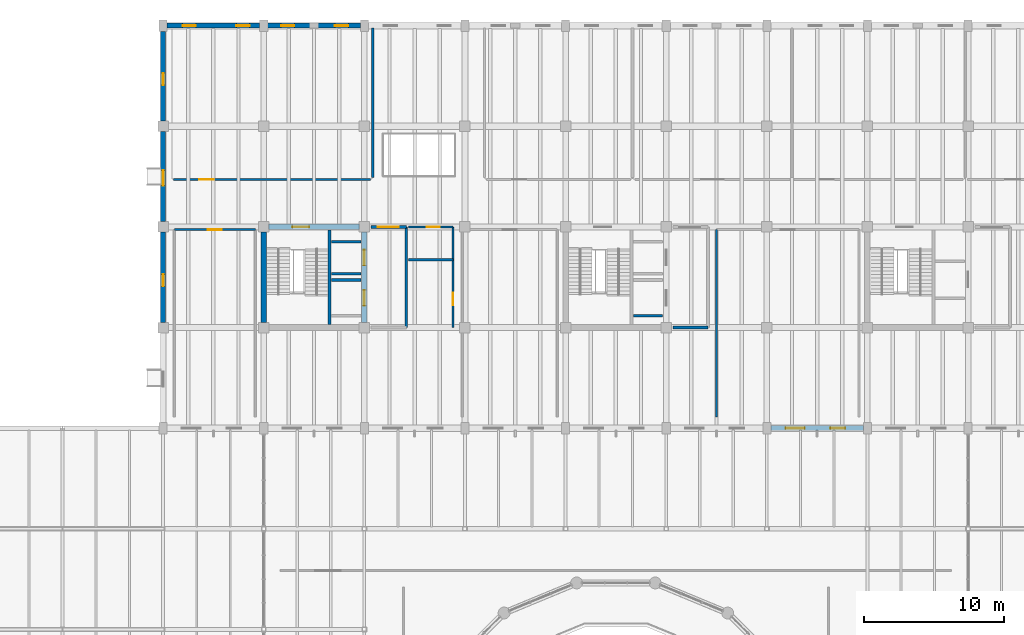
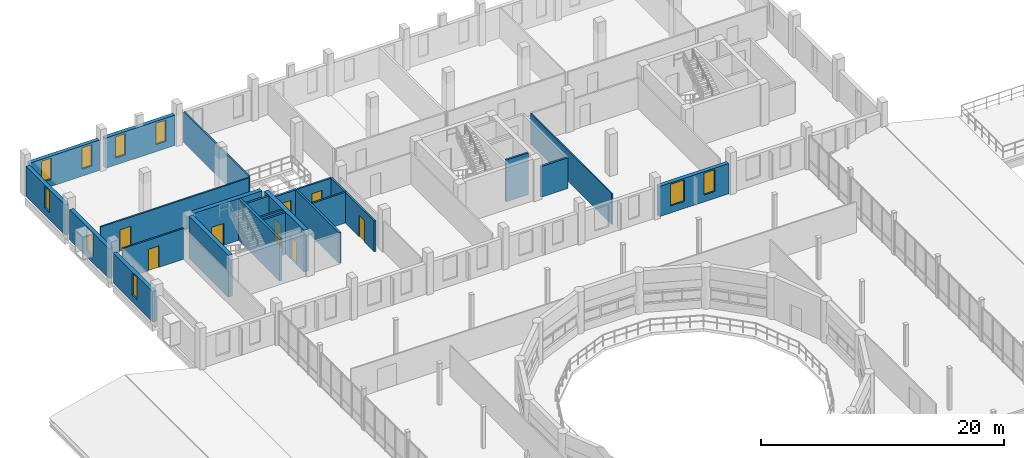
# One storey, part 52 of 63: 24 walls, 9 windows, 8 doors, 17 openings.
"""IFC4 building model written with IfcOpenShell, lengths in metres."""

from ifc_helpers import new_model, si_unit, direction, frame, frame_2d, origin, place, context, subcontext, project, spatial, rectangle, extrude, material, layer, layer_set, type_object, element, fill, save


model = new_model("IFC4")

# Units and contexts
model_context = context("Model", 3, precision=1e-05, world=origin(), true_north=direction((0.0, 1.0)))
body_context = subcontext(model_context, "Body", "Model", "MODEL_VIEW")
ifc_project = project(units=[si_unit("LENGTHUNIT", "METRE"), si_unit("AREAUNIT", "SQUARE_METRE"), si_unit("VOLUMEUNIT", "CUBIC_METRE"), si_unit("PLANEANGLEUNIT", "RADIAN"), si_unit("MASSUNIT", "GRAM", prefix="KILO")], contexts=[model_context])

# Site, building, storey
site_placement = place(None, origin())
site = spatial("IfcSite", under=ifc_project, at=site_placement, CompositionType="ELEMENT")
building_placement = place(site_placement, origin())
building = spatial("IfcBuilding", under=site, at=building_placement, Name="Qiaolan Assembly House", CompositionType="ELEMENT")
storey_placement = place(building_placement, frame((0.0, 0.0, 14.39990234375)))
storey = spatial("IfcBuildingStorey", under=building, at=storey_placement, Name="L03", CompositionType="ELEMENT", Elevation=14.39990234375)

# Wall, openings, doors
ifc_material_1 = material(Name="Concrete C45/55", Category="concrete")
ifc_layer_1 = layer(ifc_material_1, 0.39990234375)
ifc_layer_set_1 = layer_set([ifc_layer_1], Name="Concrete C45/55")
wall_type_1 = type_object("IfcWallType", Name="WAL-CORE-400", PredefinedType="SHEAR", material=ifc_layer_set_1)
wall_1_placement = place(storey_placement, frame((50.39990234375, 93.949951171875, 0.0), z_axis=(0.0, 0.0, 1.0), x_axis=(0.0, 1.0, 0.0)))
wall_1 = element("IfcWall", 1, at=wall_1_placement, inside=storey, type_object=wall_type_1, Name="CW-400 shear core wall CORE-A E L03", PredefinedType="SHEAR", context=body_context, shape_type="SweptSolid", body=[
    extrude(rectangle(XDim=6.5, YDim=0.39990234375, at=frame_2d((3.25, 0.0))), origin(), (0.0, 0.0, 1.0), 4.2001953125),
])
opening_1_placement = place(wall_1_placement, frame((1.22509765625, 0.0, 0.0)))
opening_1 = element("IfcOpeningElement", 2, at=opening_1_placement, cuts=wall_1, Name="Opening LD-005", PredefinedType="OPENING", context=body_context, shape_type="SweptSolid", body=[
    extrude(rectangle(XDim=1.10009765625, YDim=2.199951171875, at=frame_2d((0.550048828125, 1.10009765625))), frame((0.0, 0.2099609375, 0.0), z_axis=(0.0, -1.0, 0.0), x_axis=(1.0, 0.0, 0.0)), (0.0, 0.0, 1.0), 0.419921875),
])
opening_2_placement = place(wall_1_placement, frame((4.10009765625, 0.0, 0.0)))
opening_2 = element("IfcOpeningElement", 3, at=opening_2_placement, cuts=wall_1, Name="Opening LD-014", PredefinedType="OPENING", context=body_context, shape_type="SweptSolid", body=[
    extrude(rectangle(XDim=1.10009765625, YDim=2.199951171875, at=frame_2d((0.550048828125, 1.10009765625))), frame((0.0, 0.2099609375, 0.0), z_axis=(0.0, -1.0, 0.0), x_axis=(1.0, 0.0, 0.0)), (0.0, 0.0, 1.0), 0.419921875),
])
ifc_material_2 = material(Name="Anodised bronze aluminium", Category="aluminium")
door_type_1 = type_object("IfcDoorType", Name="DOR-LIFT-LD1100", OperationType="SLIDING_TO_LEFT", PredefinedType="DOOR", material=ifc_material_2)
door_1_placement = place(opening_1_placement, origin())
door_1 = element("IfcDoor", 4, at=door_1_placement, inside=storey, type_object=door_type_1, Name="Lift landing door LD-005 (LF-01 L03)", OperationType="SLIDING_TO_LEFT", OverallHeight=2.199951171875, OverallWidth=1.10009765625, PredefinedType="DOOR", context=body_context, shape_type="SweptSolid", body=[
    extrude(rectangle(XDim=1.10009765625, YDim=2.199951171875, at=frame_2d((0.550048828125, 1.10009765625))), frame((0.0, 0.02490234375, 0.0), z_axis=(0.0, -1.0, 0.0), x_axis=(1.0, 0.0, 0.0)), (0.0, 0.0, 1.0), 0.050048828125),
])
fill(opening_1, door_1)
door_2_placement = place(opening_2_placement, origin())
door_2 = element("IfcDoor", 5, at=door_2_placement, inside=storey, type_object=door_type_1, Name="Lift landing door LD-014 (LF-02 L03)", OperationType="SLIDING_TO_LEFT", OverallHeight=2.199951171875, OverallWidth=1.10009765625, PredefinedType="DOOR", context=body_context, shape_type="SweptSolid", body=[
    extrude(rectangle(XDim=1.10009765625, YDim=2.199951171875, at=frame_2d((0.550048828125, 1.10009765625))), frame((0.0, 0.02490234375, 0.0), z_axis=(0.0, -1.0, 0.0), x_axis=(1.0, 0.0, 0.0)), (0.0, 0.0, 1.0), 0.050048828125),
])
fill(opening_2, door_2)

# Wall, opening, door
wall_2_placement = place(storey_placement, frame((50.050048828125, 100.800048828125, 0.0), z_axis=(0.0, 0.0, 1.0), x_axis=(-1.0, 0.0, 0.0)))
wall_2 = element("IfcWall", 6, at=wall_2_placement, inside=storey, type_object=wall_type_1, Name="CW-400 shear core wall CORE-A N L03", PredefinedType="SHEAR", context=body_context, shape_type="SweptSolid", body=[
    extrude(rectangle(XDim=6.5, YDim=0.39990234375, at=frame_2d((3.25, 0.0))), origin(), (0.0, 0.0, 1.0), 4.2001953125),
])
opening_3_placement = place(wall_2_placement, frame((3.60009765625, 0.0, 0.0)))
opening_3 = element("IfcOpeningElement", 7, at=opening_3_placement, cuts=wall_2, Name="Opening FD-015", PredefinedType="OPENING", context=body_context, shape_type="SweptSolid", body=[
    extrude(rectangle(XDim=1.199951171875, YDim=2.199951171875, at=frame_2d((0.60009765625, 1.10009765625))), frame((0.0, 0.2099609375, 0.0), z_axis=(0.0, -1.0, 0.0), x_axis=(1.0, 0.0, 0.0)), (0.0, 0.0, 1.0), 0.419921875),
])
ifc_material_3 = material(Name="Steel Q355B", Category="steel")
door_type_2 = type_object("IfcDoorType", Name="DOR-FIRE-FD90-1200", OperationType="NOTDEFINED", PredefinedType="DOOR", material=ifc_material_3)
door_3_placement = place(opening_3_placement, frame((1.199951171875, 0.0, 0.0), z_axis=(0.0, 0.0, 1.0), x_axis=(-1.0, 0.0, 0.0)))
door_3 = element("IfcDoor", 8, at=door_3_placement, inside=storey, type_object=door_type_2, Name="Stairwell fire door FD-015 (CORE-A L03)", OperationType="SINGLE_SWING_RIGHT", OverallHeight=2.199951171875, OverallWidth=1.199951171875, PredefinedType="DOOR", context=body_context, shape_type="SweptSolid", body=[
    extrude(rectangle(XDim=1.199951171875, YDim=2.199951171875, at=frame_2d((0.60009765625, 1.10009765625))), frame((0.0, 0.02490234375, 0.0), z_axis=(0.0, -1.0, 0.0), x_axis=(1.0, 0.0, 0.0)), (0.0, 0.0, 1.0), 0.050048828125),
])
fill(opening_3, door_3)

# Wall
wall_3_placement = place(storey_placement, frame((43.199951171875, 100.449951171875, 0.0), z_axis=(0.0, 0.0, 1.0), x_axis=(0.0, -1.0, 0.0)))
element("IfcWall", 9, at=wall_3_placement, inside=storey, type_object=wall_type_1, Name="CW-400 shear core wall CORE-A W L03", PredefinedType="SHEAR", context=body_context, shape_type="SweptSolid", body=[
    extrude(rectangle(XDim=6.5, YDim=0.39990234375, at=frame_2d((3.25, 0.0))), origin(), (0.0, 0.0, 1.0), 4.2001953125),
])

# Wall, openings, windows
ifc_material_4 = material(Name="Honed pale limestone", Category="masonry")
ifc_layer_2 = layer(ifc_material_4, 0.360107421875)
ifc_layer_set_2 = layer_set([ifc_layer_2], Name="Honed pale limestone")
wall_type_2 = type_object("IfcWallType", Name="WAL-EXT-LIMESTONE-360", PredefinedType="SOLIDWALL", material=ifc_layer_set_2)
wall_4_placement = place(storey_placement, frame((42.912109375, 115.199951171875, 0.0), z_axis=(0.0, 0.0, 1.0), x_axis=(-1.0, 0.0, 0.0)))
wall_4 = element("IfcWall", 10, at=wall_4_placement, inside=storey, type_object=wall_type_2, Name="EW-360 NW North street wall L03 bay 1", PredefinedType="SOLIDWALL", context=body_context, shape_type="SweptSolid", body=[
    extrude(rectangle(XDim=6.6240234375, YDim=0.360107421875, at=frame_2d((3.31201171875, 0.0))), origin(), (0.0, 0.0, 1.0), 3.0400390625),
])
opening_4_placement = place(wall_4_placement, frame((0.7119140625, 0.0, 0.699951171875)))
opening_4 = element("IfcOpeningElement", 11, at=opening_4_placement, cuts=wall_4, Name="Opening WN-068", PredefinedType="OPENING", context=body_context, shape_type="SweptSolid", body=[
    extrude(rectangle(XDim=0.949951171875, YDim=2.139892578125, at=frame_2d((0.47509765625, 1.06982421875))), frame((0.0, 0.18994140625, 0.0), z_axis=(0.0, -1.0, 0.0), x_axis=(1.0, 0.0, 0.0)), (0.0, 0.0, 1.0), 0.380126953125),
])
opening_5_placement = place(wall_4_placement, frame((4.56201171875, 0.0, 0.699951171875)))
opening_5 = element("IfcOpeningElement", 12, at=opening_5_placement, cuts=wall_4, Name="Opening WN-069", PredefinedType="OPENING", context=body_context, shape_type="SweptSolid", body=[
    extrude(rectangle(XDim=0.949951171875, YDim=2.139892578125, at=frame_2d((0.47509765625, 1.06982421875))), frame((0.0, 0.18994140625, 0.0), z_axis=(0.0, -1.0, 0.0), x_axis=(1.0, 0.0, 0.0)), (0.0, 0.0, 1.0), 0.380126953125),
])
ifc_material_5 = material(Name="Low-E double insulating glass", Category="glass")
window_type_1 = type_object("IfcWindowType", Name="WIN-PUNCH-950x2400", PartitioningType="SINGLE_PANEL", PredefinedType="WINDOW", material=ifc_material_5)
window_1_placement = place(opening_4_placement, origin())
window_1 = element("IfcWindow", 13, at=window_1_placement, inside=storey, type_object=window_type_1, Name="WN-T06 window WN-068", OverallHeight=2.139892578125, OverallWidth=0.949951171875, PartitioningType="SINGLE_PANEL", PredefinedType="WINDOW", context=body_context, shape_type="SweptSolid", body=[
    extrude(rectangle(XDim=0.949951171875, YDim=2.139892578125, at=frame_2d((0.47509765625, 1.06982421875))), frame((0.0, 0.030029296875, 0.0), z_axis=(0.0, -1.0, 0.0), x_axis=(1.0, 0.0, 0.0)), (0.0, 0.0, 1.0), 0.06005859375),
])
fill(opening_4, window_1)
window_2_placement = place(opening_5_placement, origin())
window_2 = element("IfcWindow", 14, at=window_2_placement, inside=storey, type_object=window_type_1, Name="WN-T06 window WN-069", OverallHeight=2.139892578125, OverallWidth=0.949951171875, PartitioningType="SINGLE_PANEL", PredefinedType="WINDOW", context=body_context, shape_type="SweptSolid", body=[
    extrude(rectangle(XDim=0.949951171875, YDim=2.139892578125, at=frame_2d((0.47509765625, 1.06982421875))), frame((0.0, 0.030029296875, 0.0), z_axis=(0.0, -1.0, 0.0), x_axis=(1.0, 0.0, 0.0)), (0.0, 0.0, 1.0), 0.06005859375),
])
fill(opening_5, window_2)

wall_5_placement = place(storey_placement, frame((50.112060546875, 115.199951171875, 0.0), z_axis=(0.0, 0.0, 1.0), x_axis=(-1.0, 0.0, 0.0)))
wall_5 = element("IfcWall", 15, at=wall_5_placement, inside=storey, type_object=wall_type_2, Name="EW-360 NW North street wall L03 bay 2", PredefinedType="SOLIDWALL", context=body_context, shape_type="SweptSolid", body=[
    extrude(rectangle(XDim=6.6240234375, YDim=0.360107421875, at=frame_2d((3.31201171875, 0.0))), origin(), (0.0, 0.0, 1.0), 3.0400390625),
])
opening_6_placement = place(wall_5_placement, frame((0.862060546875, 0.0, 0.699951171875)))
opening_6 = element("IfcOpeningElement", 16, at=opening_6_placement, cuts=wall_5, Name="Opening WN-070", PredefinedType="OPENING", context=body_context, shape_type="SweptSolid", body=[
    extrude(rectangle(XDim=0.949951171875, YDim=2.139892578125, at=frame_2d((0.47509765625, 1.06982421875))), frame((0.0, 0.18994140625, 0.0), z_axis=(0.0, -1.0, 0.0), x_axis=(1.0, 0.0, 0.0)), (0.0, 0.0, 1.0), 0.380126953125),
])
opening_7_placement = place(wall_5_placement, frame((4.7119140625, 0.0, 0.699951171875)))
opening_7 = element("IfcOpeningElement", 17, at=opening_7_placement, cuts=wall_5, Name="Opening WN-071", PredefinedType="OPENING", context=body_context, shape_type="SweptSolid", body=[
    extrude(rectangle(XDim=0.949951171875, YDim=2.139892578125, at=frame_2d((0.47509765625, 1.06982421875))), frame((0.0, 0.18994140625, 0.0), z_axis=(0.0, -1.0, 0.0), x_axis=(1.0, 0.0, 0.0)), (0.0, 0.0, 1.0), 0.380126953125),
])
window_3_placement = place(opening_6_placement, origin())
window_3 = element("IfcWindow", 18, at=window_3_placement, inside=storey, type_object=window_type_1, Name="WN-T06 window WN-070", OverallHeight=2.139892578125, OverallWidth=0.949951171875, PartitioningType="SINGLE_PANEL", PredefinedType="WINDOW", context=body_context, shape_type="SweptSolid", body=[
    extrude(rectangle(XDim=0.949951171875, YDim=2.139892578125, at=frame_2d((0.47509765625, 1.06982421875))), frame((0.0, 0.030029296875, 0.0), z_axis=(0.0, -1.0, 0.0), x_axis=(1.0, 0.0, 0.0)), (0.0, 0.0, 1.0), 0.06005859375),
])
fill(opening_6, window_3)
window_4_placement = place(opening_7_placement, origin())
window_4 = element("IfcWindow", 19, at=window_4_placement, inside=storey, type_object=window_type_1, Name="WN-T06 window WN-071", OverallHeight=2.139892578125, OverallWidth=0.949951171875, PartitioningType="SINGLE_PANEL", PredefinedType="WINDOW", context=body_context, shape_type="SweptSolid", body=[
    extrude(rectangle(XDim=0.949951171875, YDim=2.139892578125, at=frame_2d((0.47509765625, 1.06982421875))), frame((0.0, 0.030029296875, 0.0), z_axis=(0.0, -1.0, 0.0), x_axis=(1.0, 0.0, 0.0)), (0.0, 0.0, 1.0), 0.06005859375),
])
fill(opening_7, window_4)

wall_6_placement = place(storey_placement, frame((79.488037109375, 86.39990234375, 0.0), z_axis=(0.0, 0.0, 1.0), x_axis=(1.0, 0.0, 0.0)))
wall_6 = element("IfcWall", 20, at=wall_6_placement, inside=storey, type_object=wall_type_2, Name="EW-360 NW South court wall L03 bay 7", PredefinedType="SOLIDWALL", context=body_context, shape_type="SweptSolid", body=[
    extrude(rectangle(XDim=6.6240234375, YDim=0.360107421875, at=frame_2d((3.31201171875, 0.0))), origin(), (0.0, 0.0, 1.0), 3.0400390625),
])
opening_8_placement = place(wall_6_placement, frame((1.06201171875, 0.0, 0.699951171875)))
opening_8 = element("IfcOpeningElement", 21, at=opening_8_placement, cuts=wall_6, Name="Opening WN-098", PredefinedType="OPENING", context=body_context, shape_type="SweptSolid", body=[
    extrude(rectangle(XDim=1.35009765625, YDim=2.18994140625, at=frame_2d((0.675048828125, 1.094970703125))), frame((0.0, 0.18994140625, 0.0), z_axis=(0.0, -1.0, 0.0), x_axis=(1.0, 0.0, 0.0)), (0.0, 0.0, 1.0), 0.380126953125),
])
opening_9_placement = place(wall_6_placement, frame((4.261962890625, 0.0, 0.699951171875)))
opening_9 = element("IfcOpeningElement", 22, at=opening_9_placement, cuts=wall_6, Name="Opening WN-099", PredefinedType="OPENING", context=body_context, shape_type="SweptSolid", body=[
    extrude(rectangle(XDim=1.050048828125, YDim=2.18994140625, at=frame_2d((0.52490234375, 1.094970703125))), frame((0.0, 0.18994140625, 0.0), z_axis=(0.0, -1.0, 0.0), x_axis=(1.0, 0.0, 0.0)), (0.0, 0.0, 1.0), 0.380126953125),
])
window_type_2 = type_object("IfcWindowType", Name="WIN-COURT-1350x2400", PartitioningType="DOUBLE_PANEL_VERTICAL", PredefinedType="WINDOW", material=ifc_material_5)
window_5_placement = place(opening_8_placement, origin())
window_5 = element("IfcWindow", 23, at=window_5_placement, inside=storey, type_object=window_type_2, Name="WN-T04 court window WN-098", OverallHeight=2.18994140625, OverallWidth=1.35009765625, PartitioningType="DOUBLE_PANEL_VERTICAL", PredefinedType="WINDOW", context=body_context, shape_type="SweptSolid", body=[
    extrude(rectangle(XDim=1.35009765625, YDim=2.18994140625, at=frame_2d((0.675048828125, 1.094970703125))), frame((0.0, 0.030029296875, 0.0), z_axis=(0.0, -1.0, 0.0), x_axis=(1.0, 0.0, 0.0)), (0.0, 0.0, 1.0), 0.06005859375),
])
fill(opening_8, window_5)
window_type_3 = type_object("IfcWindowType", Name="WIN-PUNCH-1050x2400", PartitioningType="SINGLE_PANEL", PredefinedType="WINDOW", material=ifc_material_5)
window_6_placement = place(opening_9_placement, origin())
window_6 = element("IfcWindow", 24, at=window_6_placement, inside=storey, type_object=window_type_3, Name="WN-T05 court window WN-099", OverallHeight=2.18994140625, OverallWidth=1.050048828125, PartitioningType="SINGLE_PANEL", PredefinedType="WINDOW", context=body_context, shape_type="SweptSolid", body=[
    extrude(rectangle(XDim=1.050048828125, YDim=2.18994140625, at=frame_2d((0.52490234375, 1.094970703125))), frame((0.0, 0.030029296875, 0.0), z_axis=(0.0, -1.0, 0.0), x_axis=(1.0, 0.0, 0.0)), (0.0, 0.0, 1.0), 0.06005859375),
])
fill(opening_9, window_6)

# Wall, opening, window
wall_7_placement = place(storey_placement, frame((36.0, 93.972900390625, 0.0), z_axis=(0.0, 0.0, 1.0), x_axis=(0.0, 1.0, 0.0)))
wall_7 = element("IfcWall", 25, at=wall_7_placement, inside=storey, type_object=wall_type_2, Name="NW West avenue wall L03-2", PredefinedType="SOLIDWALL", context=body_context, shape_type="SweptSolid", body=[
    extrude(rectangle(XDim=6.4541015625, YDim=0.360107421875, at=frame_2d((3.22705078125, 0.0))), origin(), (0.0, 0.0, 1.0), 3.0400390625),
])
opening_10_placement = place(wall_7_placement, frame((2.576904296875, 0.0, 0.699951171875)))
opening_10 = element("IfcOpeningElement", 26, at=opening_10_placement, cuts=wall_7, Name="Opening WN-106", PredefinedType="OPENING", context=body_context, shape_type="SweptSolid", body=[
    extrude(rectangle(XDim=0.85009765625, YDim=2.18994140625, at=frame_2d((0.425048828125, 1.094970703125))), frame((0.0, 0.18994140625, 0.0), z_axis=(0.0, -1.0, 0.0), x_axis=(1.0, 0.0, 0.0)), (0.0, 0.0, 1.0), 0.380126953125),
])
window_type_4 = type_object("IfcWindowType", Name="WIN-END-850x2200", PartitioningType="SINGLE_PANEL", PredefinedType="WINDOW", material=ifc_material_5)
window_7_placement = place(opening_10_placement, origin())
window_7 = element("IfcWindow", 27, at=window_7_placement, inside=storey, type_object=window_type_4, Name="NW West window WN-106", OverallHeight=2.18994140625, OverallWidth=0.85009765625, PartitioningType="SINGLE_PANEL", PredefinedType="WINDOW", context=body_context, shape_type="SweptSolid", body=[
    extrude(rectangle(XDim=0.85009765625, YDim=2.18994140625, at=frame_2d((0.425048828125, 1.094970703125))), frame((0.0, 0.030029296875, 0.0), z_axis=(0.0, -1.0, 0.0), x_axis=(1.0, 0.0, 0.0)), (0.0, 0.0, 1.0), 0.06005859375),
])
fill(opening_10, window_7)

wall_8_placement = place(storey_placement, frame((36.0, 101.173095703125, 0.0), z_axis=(0.0, 0.0, 1.0), x_axis=(0.0, 1.0, 0.0)))
wall_8 = element("IfcWall", 28, at=wall_8_placement, inside=storey, type_object=wall_type_2, Name="NW West avenue wall L03-3", PredefinedType="SOLIDWALL", context=body_context, shape_type="SweptSolid", body=[
    extrude(rectangle(XDim=6.453857421875, YDim=0.360107421875, at=frame_2d((3.22705078125, 0.0))), origin(), (0.0, 0.0, 1.0), 3.0400390625),
])
opening_11_placement = place(wall_8_placement, frame((2.576904296875, 0.0, 0.699951171875)))
opening_11 = element("IfcOpeningElement", 29, at=opening_11_placement, cuts=wall_8, Name="Opening WN-108", PredefinedType="OPENING", context=body_context, shape_type="SweptSolid", body=[
    extrude(rectangle(XDim=1.10009765625, YDim=2.18994140625, at=frame_2d((0.550048828125, 1.094970703125))), frame((0.0, 0.18994140625, 0.0), z_axis=(0.0, -1.0, 0.0), x_axis=(1.0, 0.0, 0.0)), (0.0, 0.0, 1.0), 0.380126953125),
])
window_type_5 = type_object("IfcWindowType", Name="WIN-BOX-1100x2350", PartitioningType="SINGLE_PANEL", PredefinedType="WINDOW", material=ifc_material_5)
window_8_placement = place(opening_11_placement, origin())
window_8 = element("IfcWindow", 30, at=window_8_placement, inside=storey, type_object=window_type_5, Name="NW West window WN-108", OverallHeight=2.18994140625, OverallWidth=1.10009765625, PartitioningType="SINGLE_PANEL", PredefinedType="WINDOW", context=body_context, shape_type="SweptSolid", body=[
    extrude(rectangle(XDim=1.10009765625, YDim=2.18994140625, at=frame_2d((0.550048828125, 1.094970703125))), frame((0.0, 0.030029296875, 0.0), z_axis=(0.0, -1.0, 0.0), x_axis=(1.0, 0.0, 0.0)), (0.0, 0.0, 1.0), 0.06005859375),
])
fill(opening_11, window_8)

wall_9_placement = place(storey_placement, frame((36.0, 108.373046875, 0.0), z_axis=(0.0, 0.0, 1.0), x_axis=(0.0, 1.0, 0.0)))
wall_9 = element("IfcWall", 31, at=wall_9_placement, inside=storey, type_object=wall_type_2, Name="NW West avenue wall L03-4", PredefinedType="SOLIDWALL", context=body_context, shape_type="SweptSolid", body=[
    extrude(rectangle(XDim=6.424072265625, YDim=0.360107421875, at=frame_2d((3.2119140625, 0.0))), origin(), (0.0, 0.0, 1.0), 3.0400390625),
])
opening_12_placement = place(wall_9_placement, frame((2.576904296875, 0.0, 0.699951171875)))
opening_12 = element("IfcOpeningElement", 32, at=opening_12_placement, cuts=wall_9, Name="Opening WN-110", PredefinedType="OPENING", context=body_context, shape_type="SweptSolid", body=[
    extrude(rectangle(XDim=0.85009765625, YDim=2.18994140625, at=frame_2d((0.425048828125, 1.094970703125))), frame((0.0, 0.18994140625, 0.0), z_axis=(0.0, -1.0, 0.0), x_axis=(1.0, 0.0, 0.0)), (0.0, 0.0, 1.0), 0.380126953125),
])
window_9_placement = place(opening_12_placement, origin())
window_9 = element("IfcWindow", 33, at=window_9_placement, inside=storey, type_object=window_type_4, Name="NW West window WN-110", OverallHeight=2.18994140625, OverallWidth=0.85009765625, PartitioningType="SINGLE_PANEL", PredefinedType="WINDOW", context=body_context, shape_type="SweptSolid", body=[
    extrude(rectangle(XDim=0.85009765625, YDim=2.18994140625, at=frame_2d((0.425048828125, 1.094970703125))), frame((0.0, 0.030029296875, 0.0), z_axis=(0.0, -1.0, 0.0), x_axis=(1.0, 0.0, 0.0)), (0.0, 0.0, 1.0), 0.06005859375),
])
fill(opening_12, window_9)

# Wall
ifc_material_6 = material(Name="Concrete C35/45", Category="concrete")
ifc_layer_3 = layer(ifc_material_6, 0.199951171875)
ifc_layer_set_3 = layer_set([ifc_layer_3], Name="Concrete C35/45")
wall_type_3 = type_object("IfcWallType", Name="WAL-LOBBY-200", PredefinedType="PARTITIONING", material=ifc_layer_set_3)
wall_10_placement = place(storey_placement, frame((53.39990234375, 93.60009765625, 0.0), z_axis=(0.0, 0.0, 1.0), x_axis=(0.0, 1.0, 0.0)))
element("IfcWall", 34, at=wall_10_placement, inside=storey, type_object=wall_type_3, Name="Firefighting lift lobby east wall CORE-A L03", PredefinedType="PARTITIONING", context=body_context, shape_type="SweptSolid", body=[
    extrude(rectangle(XDim=7.199951171875, YDim=0.199951171875, at=frame_2d((3.60009765625, 0.0))), origin(), (0.0, 0.0, 1.0), 3.080078125),
])

# Wall, opening, door
wall_11_placement = place(storey_placement, frame((53.39990234375, 100.800048828125, 0.0), z_axis=(0.0, 0.0, 1.0), x_axis=(-1.0, 0.0, 0.0)))
wall_11 = element("IfcWall", 35, at=wall_11_placement, inside=storey, type_object=wall_type_3, Name="Firefighting lift lobby north wall CORE-A L03", PredefinedType="PARTITIONING", context=body_context, shape_type="SweptSolid", body=[
    extrude(rectangle(XDim=2.52001953125, YDim=0.199951171875, at=frame_2d((1.260009765625, 0.0))), origin(), (0.0, 0.0, 1.0), 3.080078125),
])
opening_13_placement = place(wall_11_placement, frame((0.550048828125, 0.0, 0.0)))
opening_13 = element("IfcOpeningElement", 36, at=opening_13_placement, cuts=wall_11, Name="Opening FD-016", PredefinedType="OPENING", context=body_context, shape_type="SweptSolid", body=[
    extrude(rectangle(XDim=1.5, YDim=2.199951171875, at=frame_2d((0.75, 1.10009765625))), frame((0.0, 0.10986328125, 0.0), z_axis=(0.0, -1.0, 0.0), x_axis=(1.0, 0.0, 0.0)), (0.0, 0.0, 1.0), 0.219970703125),
])
ifc_material_7 = material(Name="Acoustic oak panelling")
door_type_3 = type_object("IfcDoorType", Name="DOR-LOBBY-FD60-1500", OperationType="DOUBLE_DOOR_SINGLE_SWING", PredefinedType="DOOR", material=ifc_material_7)
door_4_placement = place(opening_13_placement, frame((1.5, 0.0, 0.0), z_axis=(0.0, 0.0, 1.0), x_axis=(-1.0, 0.0, 0.0)))
door_4 = element("IfcDoor", 37, at=door_4_placement, inside=storey, type_object=door_type_3, Name="Lobby corridor fire door FD-016", OperationType="DOUBLE_DOOR_SINGLE_SWING", OverallHeight=2.199951171875, OverallWidth=1.5, PredefinedType="DOOR", context=body_context, shape_type="SweptSolid", body=[
    extrude(rectangle(XDim=1.5, YDim=2.199951171875, at=frame_2d((0.75, 1.10009765625))), frame((0.0, 0.02490234375, 0.0), z_axis=(0.0, -1.0, 0.0), x_axis=(1.0, 0.0, 0.0)), (0.0, 0.0, 1.0), 0.050048828125),
])
fill(opening_13, door_4)

# Walls
wall_12_placement = place(storey_placement, frame((72.47998046875, 93.60009765625, 0.0), z_axis=(0.0, 0.0, 1.0), x_axis=(1.0, 0.0, 0.0)))
element("IfcWall", 38, at=wall_12_placement, inside=storey, type_object=wall_type_3, Name="Firefighting lift lobby south wall CORE-B L03", PredefinedType="PARTITIONING", context=body_context, shape_type="SweptSolid", body=[
    extrude(rectangle(XDim=2.52001953125, YDim=0.199951171875, at=frame_2d((1.260009765625, 0.0))), origin(), (0.0, 0.0, 1.0), 3.080078125),
])
ifc_material_8 = material(Name="Gypsum plasterboard partition")
ifc_layer_4 = layer(ifc_material_8, 0.1201171875)
ifc_layer_set_4 = layer_set([ifc_layer_4], Name="Gypsum plasterboard partition")
wall_type_4 = type_object("IfcWallType", Name="WAL-PART-120", PredefinedType="PARTITIONING", material=ifc_layer_set_4)
wall_13_placement = place(storey_placement, frame((75.60009765625, 87.199951171875, 0.0), z_axis=(0.0, 0.0, 1.0), x_axis=(0.0, 1.0, 0.0)))
element("IfcWall", 39, at=wall_13_placement, inside=storey, type_object=wall_type_4, Name="Infrastructure Tender Review Room west wall", PredefinedType="PARTITIONING", context=body_context, shape_type="SweptSolid", body=[
    extrude(rectangle(XDim=13.400146484375, YDim=0.1201171875, at=frame_2d((6.7001953125, 0.0))), origin(), (0.0, 0.0, 1.0), 3.080078125),
])

# Wall, opening, door
ifc_layer_5 = layer(ifc_material_8, 0.14990234375)
ifc_layer_set_5 = layer_set([ifc_layer_5], Name="Gypsum plasterboard partition")
wall_type_5 = type_object("IfcWallType", Name="WAL-PART-150", PredefinedType="PARTITIONING", material=ifc_layer_set_5)
wall_14_placement = place(storey_placement, frame((36.75, 104.199951171875, 0.0), z_axis=(0.0, 0.0, 1.0), x_axis=(1.0, 0.0, 0.0)))
wall_14 = element("IfcWall", 40, at=wall_14_placement, inside=storey, type_object=wall_type_5, Name="Urban Design & Statutory Planning Department corridor wall", PredefinedType="PARTITIONING", context=body_context, shape_type="SweptSolid", body=[
    extrude(rectangle(XDim=14.10009765625, YDim=0.14990234375, at=frame_2d((7.050048828125, 0.0))), origin(), (0.0, 0.0, 1.0), 3.080078125),
])
opening_14_placement = place(wall_14_placement, frame((1.824951171875, 0.0, 0.0)))
opening_14 = element("IfcOpeningElement", 41, at=opening_14_placement, cuts=wall_14, Name="Opening ND-199", PredefinedType="OPENING", context=body_context, shape_type="SweptSolid", body=[
    extrude(rectangle(XDim=1.050048828125, YDim=2.14990234375, at=frame_2d((0.52490234375, 1.074951171875))), frame((0.0, 0.0849609375, 0.0), z_axis=(0.0, -1.0, 0.0), x_axis=(1.0, 0.0, 0.0)), (0.0, 0.0, 1.0), 0.169921875),
])
door_type_4 = type_object("IfcDoorType", Name="DOR-OFF-LRG-1050", OperationType="NOTDEFINED", PredefinedType="DOOR", material=ifc_material_7)
door_5_placement = place(opening_14_placement, origin())
door_5 = element("IfcDoor", 42, at=door_5_placement, inside=storey, type_object=door_type_4, Name="Urban Design & Statutory Planning Department door ND-199", OperationType="SINGLE_SWING_LEFT", OverallHeight=2.14990234375, OverallWidth=1.050048828125, PredefinedType="DOOR", context=body_context, shape_type="SweptSolid", body=[
    extrude(rectangle(XDim=1.050048828125, YDim=2.14990234375, at=frame_2d((0.52490234375, 1.074951171875))), frame((0.0, 0.02490234375, 0.0), z_axis=(0.0, -1.0, 0.0), x_axis=(1.0, 0.0, 0.0)), (0.0, 0.0, 1.0), 0.050048828125),
])
fill(opening_14, door_5)

# Wall
wall_15_placement = place(storey_placement, frame((51.0, 104.35009765625, 0.0), z_axis=(0.0, 0.0, 1.0), x_axis=(0.0, 1.0, 0.0)))
element("IfcWall", 43, at=wall_15_placement, inside=storey, type_object=wall_type_5, Name="Lightwell east wall", PredefinedType="PARTITIONING", context=body_context, shape_type="SweptSolid", body=[
    extrude(rectangle(XDim=10.669921875, YDim=0.14990234375, at=frame_2d((5.3349609375, 0.0))), origin(), (0.0, 0.0, 1.0), 3.080078125),
])

# Wall, opening, door
wall_16_placement = place(storey_placement, frame((42.60009765625, 100.60009765625, 0.0), z_axis=(0.0, 0.0, 1.0), x_axis=(-1.0, 0.0, 0.0)))
wall_16 = element("IfcWall", 44, at=wall_16_placement, inside=storey, type_object=wall_type_5, Name="Statutory Mapping & Cadastre Room corridor wall", PredefinedType="PARTITIONING", context=body_context, shape_type="SweptSolid", body=[
    extrude(rectangle(XDim=5.800048828125, YDim=0.14990234375, at=frame_2d((2.89990234375, 0.0))), origin(), (0.0, 0.0, 1.0), 3.080078125),
])
opening_15_placement = place(wall_16_placement, frame((2.39990234375, 0.0, 0.0)))
opening_15 = element("IfcOpeningElement", 45, at=opening_15_placement, cuts=wall_16, Name="Opening SD-204", PredefinedType="OPENING", context=body_context, shape_type="SweptSolid", body=[
    extrude(rectangle(XDim=1.0, YDim=2.14990234375, at=frame_2d((0.5, 1.074951171875))), frame((0.0, 0.0849609375, 0.0), z_axis=(0.0, -1.0, 0.0), x_axis=(1.0, 0.0, 0.0)), (0.0, 0.0, 1.0), 0.169921875),
])
door_type_5 = type_object("IfcDoorType", Name="DOR-OFF-SGL-1000", OperationType="NOTDEFINED", PredefinedType="DOOR", material=ifc_material_7)
door_6_placement = place(opening_15_placement, origin())
door_6 = element("IfcDoor", 46, at=door_6_placement, inside=storey, type_object=door_type_5, Name="Statutory Mapping & Cadastre Room door SD-204", OperationType="SINGLE_SWING_LEFT", OverallHeight=2.14990234375, OverallWidth=1.0, PredefinedType="DOOR", context=body_context, shape_type="SweptSolid", body=[
    extrude(rectangle(XDim=1.0, YDim=2.14990234375, at=frame_2d((0.5, 1.074951171875))), frame((0.0, 0.02490234375, 0.0), z_axis=(0.0, -1.0, 0.0), x_axis=(1.0, 0.0, 0.0)), (0.0, 0.0, 1.0), 0.050048828125),
])
fill(opening_15, door_6)

# Walls
ifc_layer_6 = layer(ifc_material_6, 0.18505859375)
ifc_layer_set_6 = layer_set([ifc_layer_6], Name="Concrete C35/45")
wall_type_6 = type_object("IfcWallType", Name="WAL-SHAFT-200", PredefinedType="PARTITIONING", material=ifc_layer_set_6)
for number, where, z_axis, x_axis, name in (
    (47, (48.050048828125, 97.0, 0.0), (0.0, 0.0, 1.0), (1.0, 0.0, 0.0), "SW-200 lift shaft wall LF-01 L03 DIVN"),
    (48, (48.050048828125, 97.449951171875, 0.0), (0.0, 0.0, 1.0), (1.0, 0.0, 0.0), "SW-200 lift shaft wall LF-02 L03 DIVS"),
    (49, (48.050048828125, 99.75, 0.0), (0.0, 0.0, 1.0), (1.0, 0.0, 0.0), "SW-200 lift shaft wall LF-02 L03 DIVN"),
):
    element("IfcWall", number, at=place(storey_placement, frame(where, z_axis=z_axis, x_axis=x_axis)), inside=storey, type_object=wall_type_6, Name=name, PredefinedType="PARTITIONING", context=body_context, shape_type="SweptSolid", body=[
        extrude(rectangle(XDim=2.099853515625, YDim=0.18505859375, at=frame_2d((1.0498046875, 0.0))), origin(), (0.0, 0.0, 1.0), 4.2001953125),
    ])
wall_17_placement = place(storey_placement, frame((69.64990234375, 94.449951171875, 0.0), z_axis=(0.0, 0.0, 1.0), x_axis=(1.0, 0.0, 0.0)))
element("IfcWall", 50, at=wall_17_placement, inside=storey, type_object=wall_type_6, Name="SW-200 lift shaft wall LF-03 L03 DIVS", PredefinedType="PARTITIONING", context=body_context, shape_type="SweptSolid", body=[
    extrude(rectangle(XDim=2.10009765625, YDim=0.18505859375, at=frame_2d((1.050048828125, 0.0))), origin(), (0.0, 0.0, 1.0), 4.2001953125),
])
ifc_material_9 = material(Name="Concrete C40/50", Category="concrete")
ifc_layer_7 = layer(ifc_material_9, 0.22509765625)
ifc_layer_set_7 = layer_set([ifc_layer_7], Name="Concrete C40/50")
wall_type_7 = type_object("IfcWallType", Name="WAL-STAIR-DIV-225", PredefinedType="SHEAR", material=ifc_layer_set_7)
wall_18_placement = place(storey_placement, frame((47.919921875, 93.820068359375, 0.0), z_axis=(0.0, 0.0, 1.0), x_axis=(0.0, 1.0, 0.0)))
element("IfcWall", 51, at=wall_18_placement, inside=storey, type_object=wall_type_7, Name="SDW-225 stairwell structural spine wall CORE-A L03", PredefinedType="SHEAR", context=body_context, shape_type="SweptSolid", body=[
    extrude(rectangle(XDim=6.760009765625, YDim=0.22509765625, at=frame_2d((3.3798828125, 0.0))), origin(), (0.0, 0.0, 1.0), 4.2001953125),
])

# Wall, opening, door
ifc_material_10 = material(Name="Concrete C30/37", Category="concrete")
ifc_layer_8 = layer(ifc_material_10, 0.1650390625)
ifc_layer_set_8 = layer_set([ifc_layer_8], Name="Concrete C30/37")
wall_type_8 = type_object("IfcWallType", Name="WAL-WET-150", PredefinedType="PARTITIONING", material=ifc_layer_set_8)
wall_19_placement = place(storey_placement, frame((56.75, 93.60009765625, 0.0), z_axis=(0.0, 0.0, 1.0), x_axis=(0.0, 1.0, 0.0)))
wall_19 = element("IfcWall", 52, at=wall_19_placement, inside=storey, type_object=wall_type_8, Name="Public WC east wall CORE-A L03", PredefinedType="PARTITIONING", context=body_context, shape_type="SweptSolid", body=[
    extrude(rectangle(XDim=7.199951171875, YDim=0.1650390625, at=frame_2d((3.60009765625, 0.0))), origin(), (0.0, 0.0, 1.0), 3.080078125),
])
opening_16_placement = place(wall_19_placement, frame((1.60009765625, 0.0, 0.0)))
opening_16 = element("IfcOpeningElement", 53, at=opening_16_placement, cuts=wall_19, Name="Opening WD-017", PredefinedType="OPENING", context=body_context, shape_type="SweptSolid", body=[
    extrude(rectangle(XDim=0.89990234375, YDim=2.14990234375, at=frame_2d((0.449951171875, 1.074951171875))), frame((0.0, 0.092529296875, 0.0), z_axis=(0.0, -1.0, 0.0), x_axis=(1.0, 0.0, 0.0)), (0.0, 0.0, 1.0), 0.18505859375),
])
door_type_6 = type_object("IfcDoorType", Name="DOR-WC-900", OperationType="NOTDEFINED", PredefinedType="DOOR", material=ifc_material_7)
door_7_placement = place(opening_16_placement, origin())
door_7 = element("IfcDoor", 54, at=door_7_placement, inside=storey, type_object=door_type_6, Name="Public Restroom door WD-017", OperationType="SINGLE_SWING_LEFT", OverallHeight=2.14990234375, OverallWidth=0.89990234375, PredefinedType="DOOR", context=body_context, shape_type="SweptSolid", body=[
    extrude(rectangle(XDim=0.89990234375, YDim=2.14990234375, at=frame_2d((0.449951171875, 1.074951171875))), frame((0.0, 0.02490234375, 0.0), z_axis=(0.0, -1.0, 0.0), x_axis=(1.0, 0.0, 0.0)), (0.0, 0.0, 1.0), 0.050048828125),
])
fill(opening_16, door_7)

wall_20_placement = place(storey_placement, frame((56.75, 100.800048828125, 0.0), z_axis=(0.0, 0.0, 1.0), x_axis=(-1.0, 0.0, 0.0)))
wall_20 = element("IfcWall", 55, at=wall_20_placement, inside=storey, type_object=wall_type_8, Name="Accessible WC corridor wall CORE-A L03", PredefinedType="PARTITIONING", context=body_context, shape_type="SweptSolid", body=[
    extrude(rectangle(XDim=3.199951171875, YDim=0.1650390625, at=frame_2d((1.60009765625, 0.0))), origin(), (0.0, 0.0, 1.0), 3.080078125),
])
opening_17_placement = place(wall_20_placement, frame((0.949951171875, 0.0, 0.0)))
opening_17 = element("IfcOpeningElement", 56, at=opening_17_placement, cuts=wall_20, Name="Opening AD-018", PredefinedType="OPENING", context=body_context, shape_type="SweptSolid", body=[
    extrude(rectangle(XDim=0.949951171875, YDim=2.14990234375, at=frame_2d((0.47509765625, 1.074951171875))), frame((0.0, 0.092529296875, 0.0), z_axis=(0.0, -1.0, 0.0), x_axis=(1.0, 0.0, 0.0)), (0.0, 0.0, 1.0), 0.18505859375),
])
door_type_7 = type_object("IfcDoorType", Name="DOR-ACC-WC-950", OperationType="NOTDEFINED", PredefinedType="DOOR", material=ifc_material_7)
door_8_placement = place(opening_17_placement, origin())
door_8 = element("IfcDoor", 57, at=door_8_placement, inside=storey, type_object=door_type_7, Name="Accessible Restroom door AD-018", OperationType="SINGLE_SWING_RIGHT", OverallHeight=2.14990234375, OverallWidth=0.949951171875, PredefinedType="DOOR", context=body_context, shape_type="SweptSolid", body=[
    extrude(rectangle(XDim=0.949951171875, YDim=2.14990234375, at=frame_2d((0.47509765625, 1.074951171875))), frame((0.0, 0.02490234375, 0.0), z_axis=(0.0, -1.0, 0.0), x_axis=(1.0, 0.0, 0.0)), (0.0, 0.0, 1.0), 0.050048828125),
])
fill(opening_17, door_8)

# Wall
wall_21_placement = place(storey_placement, frame((53.550048828125, 98.449951171875, 0.0), z_axis=(0.0, 0.0, 1.0), x_axis=(1.0, 0.0, 0.0)))
element("IfcWall", 58, at=wall_21_placement, inside=storey, type_object=wall_type_8, Name="WC divider wall CORE-A L03", PredefinedType="PARTITIONING", context=body_context, shape_type="SweptSolid", body=[
    extrude(rectangle(XDim=3.199951171875, YDim=0.1650390625, at=frame_2d((1.60009765625, 0.0))), origin(), (0.0, 0.0, 1.0), 3.080078125),
])

save(model, "model.ifc")
